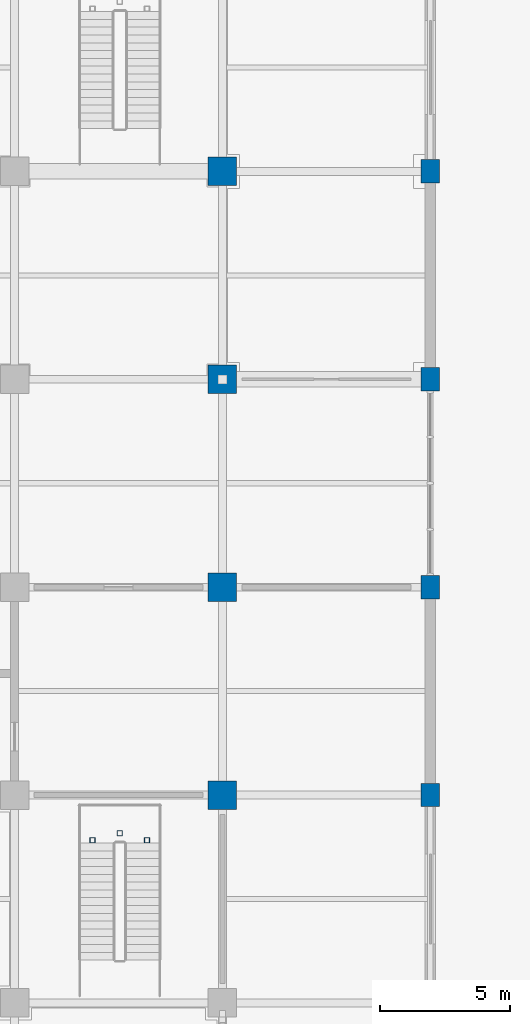
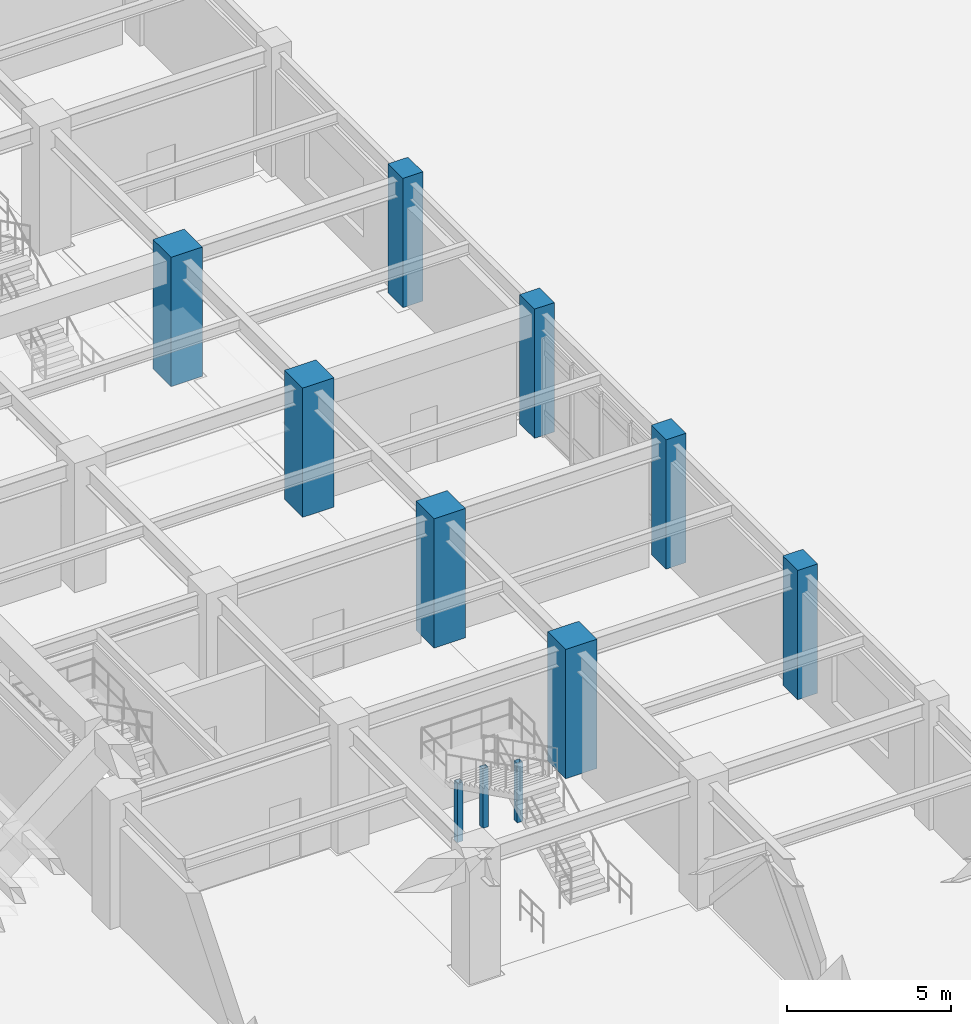
# One storey, part 11 of 125: 11 columns.
"""IFC4 building model written with IfcOpenShell, lengths in metres."""

from ifc_helpers import new_model, si_unit, direction, frame, origin, origin_2d, place, context, subcontext, project, spatial, rectangle, hollow_rectangle, extrude, material, material_profile, profile_set, type_object, element, save


model = new_model("IFC4")

# Units and contexts
model_context = context("Model", 3, precision=1e-05, world=origin(), true_north=direction((0.0, 1.0)))
body_context = subcontext(model_context, "Body", "Model", "MODEL_VIEW")
ifc_project = project(units=[si_unit("LENGTHUNIT", "METRE"), si_unit("AREAUNIT", "SQUARE_METRE"), si_unit("VOLUMEUNIT", "CUBIC_METRE"), si_unit("PLANEANGLEUNIT", "RADIAN"), si_unit("MASSUNIT", "GRAM", prefix="KILO")], contexts=[model_context])

# Site, building, storey
site_placement = place(None, origin())
site = spatial("IfcSite", under=ifc_project, at=site_placement, CompositionType="ELEMENT")
building_placement = place(site_placement, origin())
building = spatial("IfcBuilding", under=site, at=building_placement, Name="Haebicheon Civic Stadium", CompositionType="ELEMENT")
storey_placement = place(building_placement, origin())
storey = spatial("IfcBuildingStorey", under=building, at=storey_placement, Name="L01", CompositionType="ELEMENT", Elevation=0.0)

# Columns
ifc_material_1 = material(Name="Concrete C40/50", Category="concrete")
ifc_material_profile_1 = material_profile(ifc_material_1, rectangle(XDim=1.10009765625, YDim=1.10009765625, at=origin_2d()), Name="RC-COL-1100x1100")
ifc_profile_set_1 = profile_set([ifc_material_profile_1], Name="Concrete C40/50")
column_type_1 = type_object("IfcColumnType", Name="COL-RC-1100", PredefinedType="COLUMN", material=ifc_profile_set_1)
for number, where, z_axis, x_axis, name in (
    (1, (160.0, 64.0, 0.0), (0.0, 0.0, 1.0), (1.0, 0.0, 0.0), "L01 column 21/J"),
    (2, (160.0, 72.0, 0.0), (0.0, 0.0, 1.0), (1.0, 0.0, 0.0), "L01 column 21/K"),
    (3, (160.0, 80.0, 0.0), (0.0, 0.0, 1.0), (1.0, 0.0, 0.0), "L01 column 21/L"),
    (4, (160.0, 88.0, 0.0), (0.0, 0.0, 1.0), (1.0, 0.0, 0.0), "L01 column 21/M"),
):
    element("IfcColumn", number, at=place(storey_placement, frame(where, z_axis=z_axis, x_axis=x_axis)), inside=storey, type_object=column_type_1, material=ifc_profile_set_1, Name=name, PredefinedType="COLUMN", context=body_context, shape_type="SweptSolid", body=[
        extrude(rectangle(XDim=1.10009765625, YDim=1.10009765625, at=origin_2d()), origin(), (0.0, 0.0, 1.0), 4.800048828125),
    ])
ifc_material_2 = material(Name="Concrete C40/50", Category="concrete")
ifc_material_profile_2 = material_profile(ifc_material_2, rectangle(XDim=0.699951171875, YDim=0.89990234375, at=origin_2d()), Name="RC-COL-900x700")
ifc_profile_set_2 = profile_set([ifc_material_profile_2], Name="Concrete C40/50")
column_type_2 = type_object("IfcColumnType", Name="COL-RC-900x700", PredefinedType="COLUMN", material=ifc_profile_set_2)
for number, where, z_axis, x_axis, name in (
    (5, (168.0, 64.0, 0.0), (0.0, 0.0, 1.0), (1.0, 0.0, 0.0), "L01 column 22/J"),
    (6, (168.0, 72.0, 0.0), (0.0, 0.0, 1.0), (1.0, 0.0, 0.0), "L01 column 22/K"),
    (7, (168.0, 80.0, 0.0), (0.0, 0.0, 1.0), (1.0, 0.0, 0.0), "L01 column 22/L"),
    (8, (168.0, 88.0, 0.0), (0.0, 0.0, 1.0), (1.0, 0.0, 0.0), "L01 column 22/M"),
):
    element("IfcColumn", number, at=place(storey_placement, frame(where, z_axis=z_axis, x_axis=x_axis)), inside=storey, type_object=column_type_2, material=ifc_profile_set_2, Name=name, PredefinedType="COLUMN", context=body_context, shape_type="SweptSolid", body=[
        extrude(rectangle(XDim=0.699951171875, YDim=0.89990234375, at=origin_2d()), origin(), (0.0, 0.0, 1.0), 4.800048828125),
    ])
ifc_material_3 = material(Name="Steel SM355 (S355)", Category="steel")
ifc_material_profile_3 = material_profile(ifc_material_3, hollow_rectangle(XDim=0.199951171875, YDim=0.199951171875, WallThickness=0.009033203125, at=origin_2d()), Name="RHS-200x200x9.0")
ifc_profile_set_3 = profile_set([ifc_material_profile_3], Name="Steel SM355 (S355)")
column_type_3 = type_object("IfcColumnType", Name="COL-ST-RHS200", PredefinedType="COLUMN", material=ifc_profile_set_3)
for number, where, z_axis, x_axis, name in (
    (9, (155.0, 62.260009765625, 0.0), (0.0, 0.0, 1.0), (1.0, 0.0, 0.0), "VM-06 L01 vomitory landing support post A"),
    (10, (157.10009765625, 62.260009765625, 0.0), (0.0, 0.0, 1.0), (1.0, 0.0, 0.0), "VM-06 L01 vomitory landing support post B"),
    (11, (156.050048828125, 62.530029296875, 0.0), (0.0, 0.0, 1.0), (1.0, 0.0, 0.0), "VM-06 L01 vomitory landing support post C"),
):
    element("IfcColumn", number, at=place(storey_placement, frame(where, z_axis=z_axis, x_axis=x_axis)), inside=storey, type_object=column_type_3, material=ifc_profile_set_3, Name=name, PredefinedType="COLUMN", context=body_context, shape_type="SweptSolid", body=[
        extrude(hollow_rectangle(XDim=0.199951171875, YDim=0.199951171875, WallThickness=0.009033203125, at=origin_2d()), origin(), (0.0, 0.0, 1.0), 2.199951171875),
    ])

save(model, "model.ifc")
